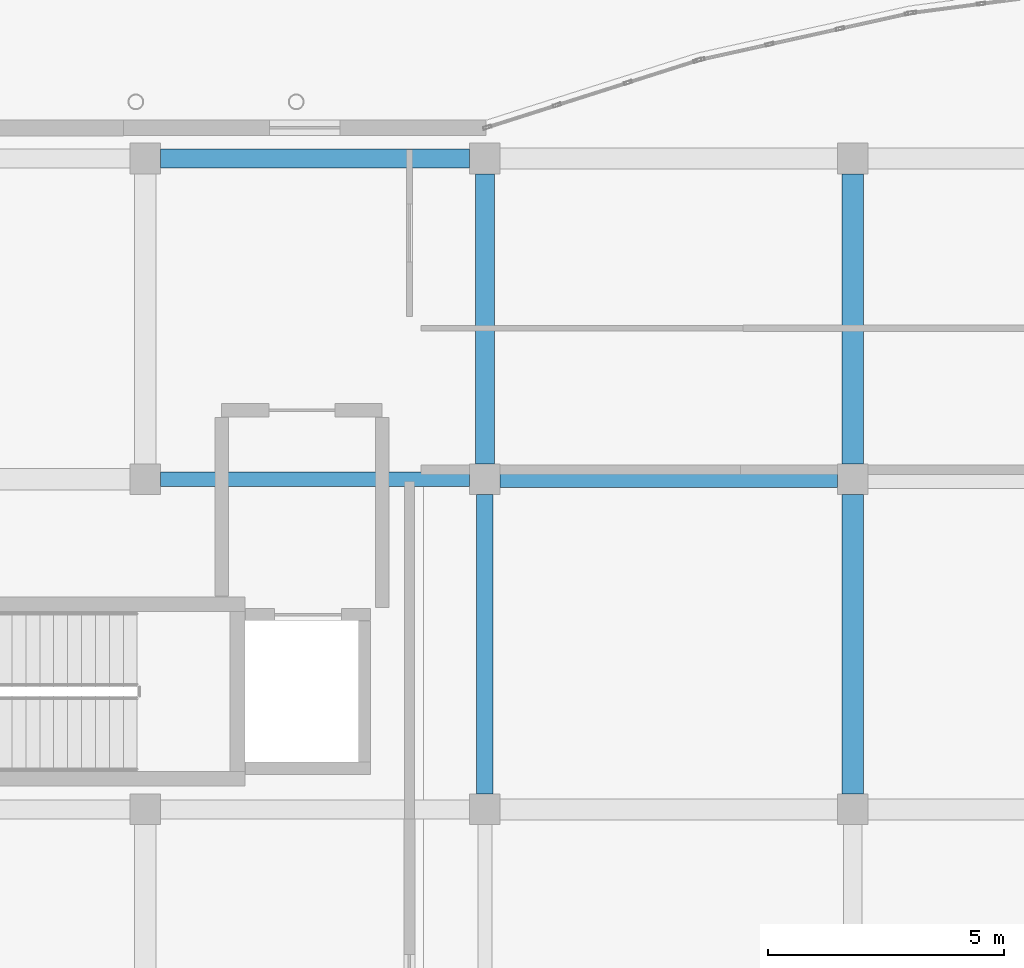
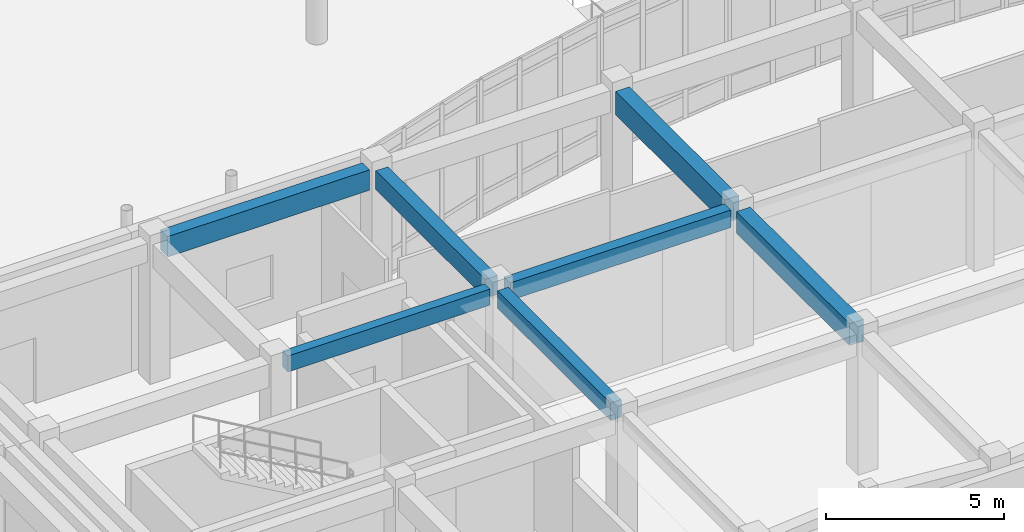
# One storey, part 29 of 121: 7 beams.
"""IFC4 building model written with IfcOpenShell, lengths in metres."""

from ifc_helpers import new_model, si_unit, direction, frame, origin, origin_2d, place, context, subcontext, project, spatial, rectangle, extrude, material, material_profile, profile_set, type_object, element, save


model = new_model("IFC4")

# Units and contexts
model_context = context("Model", 3, precision=1e-05, world=origin(), true_north=direction((0.0, 1.0)))
body_context = subcontext(model_context, "Body", "Model", "MODEL_VIEW")
ifc_project = project(units=[si_unit("LENGTHUNIT", "METRE"), si_unit("AREAUNIT", "SQUARE_METRE"), si_unit("VOLUMEUNIT", "CUBIC_METRE"), si_unit("PLANEANGLEUNIT", "RADIAN"), si_unit("MASSUNIT", "GRAM", prefix="KILO")], contexts=[model_context])

# Site, building, storey
site_placement = place(None, origin())
site = spatial("IfcSite", under=ifc_project, at=site_placement, CompositionType="ELEMENT")
building_placement = place(site_placement, origin())
building = spatial("IfcBuilding", under=site, at=building_placement, Name="Valcora Specialist Clinic", CompositionType="ELEMENT")
storey_placement = place(building_placement, origin())
storey = spatial("IfcBuildingStorey", under=building, at=storey_placement, Name="L00", CompositionType="ELEMENT", Elevation=0.0)

# Beams
ifc_material = material(Name="Concrete C40/50", Category="concrete")
ifc_material_profile_1 = material_profile(ifc_material, rectangle(XDim=0.300048828125, YDim=0.550048828125, at=origin_2d()), Name="RC-BM-300X550")
ifc_profile_set_1 = profile_set([ifc_material_profile_1], Name="Concrete C40/50")
beam_type_1 = type_object("IfcBeamType", Name="TY-BM-RC300X550", PredefinedType="BEAM", material=ifc_profile_set_1)
beam_1_placement = place(storey_placement, frame((62.125, 15.199951171875, 4.4951171875), z_axis=(1.0, 0.0, 0.0), x_axis=(0.0, 1.0, 0.0)))
element("IfcBeam", 1, at=beam_1_placement, inside=storey, type_object=beam_type_1, Name="Beam BM-L00-1243", PredefinedType="BEAM", context=body_context, shape_type="SweptSolid", body=[
    extrude(rectangle(XDim=0.300048828125, YDim=0.550048828125, at=origin_2d()), origin(), (0.0, 0.0, 1.0), 6.550048828125),
])
ifc_material_profile_2 = material_profile(ifc_material, rectangle(XDim=0.35009765625, YDim=0.60009765625, at=origin_2d()), Name="RC-BM-350X600")
ifc_profile_set_2 = profile_set([ifc_material_profile_2], Name="Concrete C40/50")
beam_type_2 = type_object("IfcBeamType", Name="TY-BM-RC350X600", PredefinedType="BEAM", material=ifc_profile_set_2)
beam_2_placement = place(storey_placement, frame((69.324951171875, 15.199951171875, 4.469970703125), z_axis=(1.0, 0.0, 0.0), x_axis=(0.0, 1.0, 0.0)))
element("IfcBeam", 2, at=beam_2_placement, inside=storey, type_object=beam_type_2, Name="Beam BM-L00-1244", PredefinedType="BEAM", context=body_context, shape_type="SweptSolid", body=[
    extrude(rectangle(XDim=0.35009765625, YDim=0.60009765625, at=origin_2d()), origin(), (0.0, 0.0, 1.0), 7.150146484375),
])
beam_3_placement = place(storey_placement, frame((69.0, 8.52490234375, 4.469970703125), z_axis=(0.0, 1.0, 0.0), x_axis=(-1.0, 0.0, 0.0)))
element("IfcBeam", 3, at=beam_3_placement, inside=storey, type_object=beam_type_2, Name="Beam BM-L00-1266", PredefinedType="BEAM", context=body_context, shape_type="SweptSolid", body=[
    extrude(rectangle(XDim=0.35009765625, YDim=0.60009765625, at=origin_2d()), origin(), (0.0, 0.0, 1.0), 6.35009765625),
])
ifc_material_profile_3 = material_profile(ifc_material, rectangle(XDim=0.39990234375, YDim=0.64990234375, at=origin_2d()), Name="RC-BM-400X650")
ifc_profile_set_3 = profile_set([ifc_material_profile_3], Name="Concrete C40/50")
beam_type_3 = type_object("IfcBeamType", Name="TY-BM-RC400X650", PredefinedType="BEAM", material=ifc_profile_set_3)
beam_4_placement = place(storey_placement, frame((69.0, 15.52490234375, 4.445068359375), z_axis=(0.0, 1.0, 0.0), x_axis=(-1.0, 0.0, 0.0)))
element("IfcBeam", 4, at=beam_4_placement, inside=storey, type_object=beam_type_3, Name="Beam BM-L00-1267", PredefinedType="BEAM", context=body_context, shape_type="SweptSolid", body=[
    extrude(rectangle(XDim=0.39990234375, YDim=0.64990234375, at=origin_2d()), origin(), (0.0, 0.0, 1.0), 6.150146484375),
])
ifc_material_profile_4 = material_profile(ifc_material, rectangle(XDim=0.39990234375, YDim=0.699951171875, at=origin_2d()), Name="RC-BM-400X700")
ifc_profile_set_4 = profile_set([ifc_material_profile_4], Name="Concrete C40/50")
beam_type_4 = type_object("IfcBeamType", Name="TY-BM-RC400X700", PredefinedType="BEAM", material=ifc_profile_set_4)
beam_5_placement = place(storey_placement, frame((62.125, 22.0, 4.419921875), z_axis=(1.0, 0.0, 0.0), x_axis=(0.0, 1.0, 0.0)))
element("IfcBeam", 5, at=beam_5_placement, inside=storey, type_object=beam_type_4, Name="Beam BM-L00-1252", PredefinedType="BEAM", context=body_context, shape_type="SweptSolid", body=[
    extrude(rectangle(XDim=0.39990234375, YDim=0.699951171875, at=origin_2d()), origin(), (0.0, 0.0, 1.0), 6.550048828125),
])
ifc_material_profile_5 = material_profile(ifc_material, rectangle(XDim=0.449951171875, YDim=0.75, at=origin_2d()), Name="RC-BM-450X750")
ifc_profile_set_5 = profile_set([ifc_material_profile_5], Name="Concrete C40/50")
beam_type_5 = type_object("IfcBeamType", Name="TY-BM-RC450X750", PredefinedType="BEAM", material=ifc_profile_set_5)
beam_6_placement = place(storey_placement, frame((76.800048828125, 8.52490234375, 4.39501953125), z_axis=(0.0, 1.0, 0.0), x_axis=(-1.0, 0.0, 0.0)))
element("IfcBeam", 6, at=beam_6_placement, inside=storey, type_object=beam_type_5, Name="Beam BM-L00-1269", PredefinedType="BEAM", context=body_context, shape_type="SweptSolid", body=[
    extrude(rectangle(XDim=0.449951171875, YDim=0.75, at=origin_2d()), origin(), (0.0, 0.0, 1.0), 6.35009765625),
])
ifc_material_profile_6 = material_profile(ifc_material, rectangle(XDim=0.449951171875, YDim=0.800048828125, at=origin_2d()), Name="RC-BM-450X800")
ifc_profile_set_6 = profile_set([ifc_material_profile_6], Name="Concrete C40/50")
beam_type_6 = type_object("IfcBeamType", Name="TY-BM-RC450X800", PredefinedType="BEAM", material=ifc_profile_set_6)
beam_7_placement = place(storey_placement, frame((76.800048828125, 15.52490234375, 4.3701171875), z_axis=(0.0, 1.0, 0.0), x_axis=(-1.0, 0.0, 0.0)))
element("IfcBeam", 7, at=beam_7_placement, inside=storey, type_object=beam_type_6, Name="Beam BM-L00-1270", PredefinedType="BEAM", context=body_context, shape_type="SweptSolid", body=[
    extrude(rectangle(XDim=0.449951171875, YDim=0.800048828125, at=origin_2d()), origin(), (0.0, 0.0, 1.0), 6.150146484375),
])

save(model, "model.ifc")
